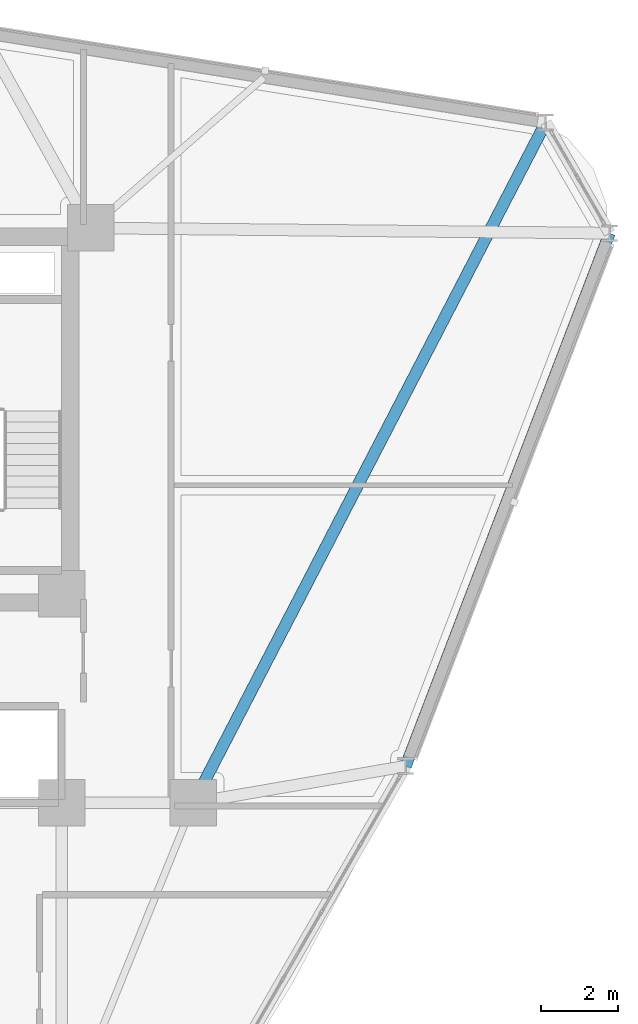
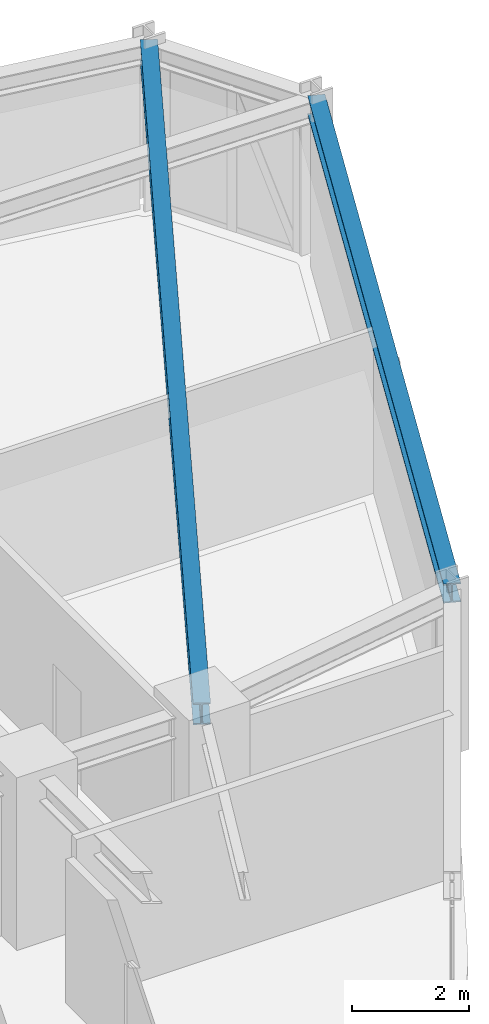
# One storey, part 8 of 18: 2 beams.
"""IFC4 building model written with IfcOpenShell, lengths in metres."""

from ifc_helpers import new_model, si_unit, derived_unit, direction, frame, origin, origin_2d, place, context, subcontext, project, spatial, i_section, extrude, source, transform, mapped, material, material_profile, profile_set, type_object, element, save


model = new_model("IFC4")

# Units and contexts
model_context = context("Model", 3, precision=1e-05, world=origin(), true_north=direction((0.0, 1.0)))
body_context = subcontext(model_context, "Body", "Model", "MODEL_VIEW")
ifc_project = project(units=[si_unit("LENGTHUNIT", "METRE"), si_unit("AREAUNIT", "SQUARE_METRE"), si_unit("VOLUMEUNIT", "CUBIC_METRE"), si_unit("PLANEANGLEUNIT", "RADIAN"), si_unit("MASSUNIT", "GRAM", prefix="KILO"), derived_unit("THERMALTRANSMITTANCEUNIT", [(si_unit("POWERUNIT", "WATT"), 1), (si_unit("LENGTHUNIT", "METRE"), -2), (si_unit("THERMODYNAMICTEMPERATUREUNIT", "KELVIN"), -1)])], contexts=[model_context])

# Site, building, storey
site_placement = place(None, origin())
site = spatial("IfcSite", under=ifc_project, at=site_placement, CompositionType="ELEMENT")
building_placement = place(site_placement, origin())
building = spatial("IfcBuilding", under=site, at=building_placement, Name="Korsvarv Bourse and Concert Hall", CompositionType="ELEMENT")
storey_placement = place(building_placement, frame((0.0, 0.0, 168.60009765625)))
storey = spatial("IfcBuildingStorey", under=building, at=storey_placement, Name="L43", CompositionType="ELEMENT", Elevation=168.60009765625)

# Beams
ifc_material = material(Name="Steel S355", Category="steel")
ifc_material_profile_1 = material_profile(ifc_material, i_section(OverallWidth=0.300048828125, OverallDepth=0.39990234375, WebThickness=0.013427734375, FlangeThickness=0.02392578125, FilletRadius=0.02099609375, at=origin_2d()), Name="HEB 400")
ifc_profile_set_1 = profile_set([ifc_material_profile_1], Name="Steel S355")
beam_type_1 = type_object("IfcBeamType", Name="BM-HEB400", PredefinedType="SPANDREL", material=ifc_profile_set_1)
shared_shape_1 = source(origin(), body_context, "Body", "SweptSolid", [
    extrude(i_section(OverallWidth=0.300048828125, OverallDepth=0.39990234375, WebThickness=0.013427734375, FlangeThickness=0.02392578125, FilletRadius=0.02099609375, at=origin_2d()), origin(), (0.0, 0.0, 1.0), 14.740234375),
])
beam_1_placement = place(storey_placement, frame((53.28564453125, 33.347900390625, 3.199951171875), z_axis=(0.357410307227, 0.933947467627, 0.0), x_axis=(-0.933947467627, 0.357410307227, 0.0)))
element("IfcBeam", 1, at=beam_1_placement, inside=storey, type_object=beam_type_1, Name="L43 beam B-09", PredefinedType="SPANDREL", context=body_context, shape_type="MappedRepresentation", body=[
    mapped(shared_shape_1, transform((0.0, 0.0, 0.0), scale=1.0)),
])
ifc_material_profile_2 = material_profile(ifc_material, i_section(OverallWidth=0.300048828125, OverallDepth=0.449951171875, WebThickness=0.013916015625, FlangeThickness=0.02587890625, FilletRadius=0.02099609375, at=origin_2d()), Name="HEB 450")
ifc_profile_set_2 = profile_set([ifc_material_profile_2], Name="Steel S355")
beam_type_2 = type_object("IfcBeamType", Name="BM-HEB450", PredefinedType="SPANDREL", material=ifc_profile_set_2)
shared_shape_2 = source(origin(), body_context, "Body", "SweptSolid", [
    extrude(i_section(OverallWidth=0.300048828125, OverallDepth=0.449951171875, WebThickness=0.013916015625, FlangeThickness=0.02587890625, FilletRadius=0.02099609375, at=origin_2d()), origin(), (0.0, 0.0, 1.0), 19.79248046875),
])
beam_2_placement = place(storey_placement, frame((56.90234375, 49.97509765625, 3.1748046875), z_axis=(-0.459888290495, -0.887976779125, 0.0), x_axis=(0.887976779125, -0.459888290495, 0.0)))
element("IfcBeam", 2, at=beam_2_placement, inside=storey, type_object=beam_type_2, Name="L43 beam B-08", PredefinedType="SPANDREL", context=body_context, shape_type="MappedRepresentation", body=[
    mapped(shared_shape_2, transform((0.0, 0.0, 0.0), scale=1.0)),
])

save(model, "model.ifc")
